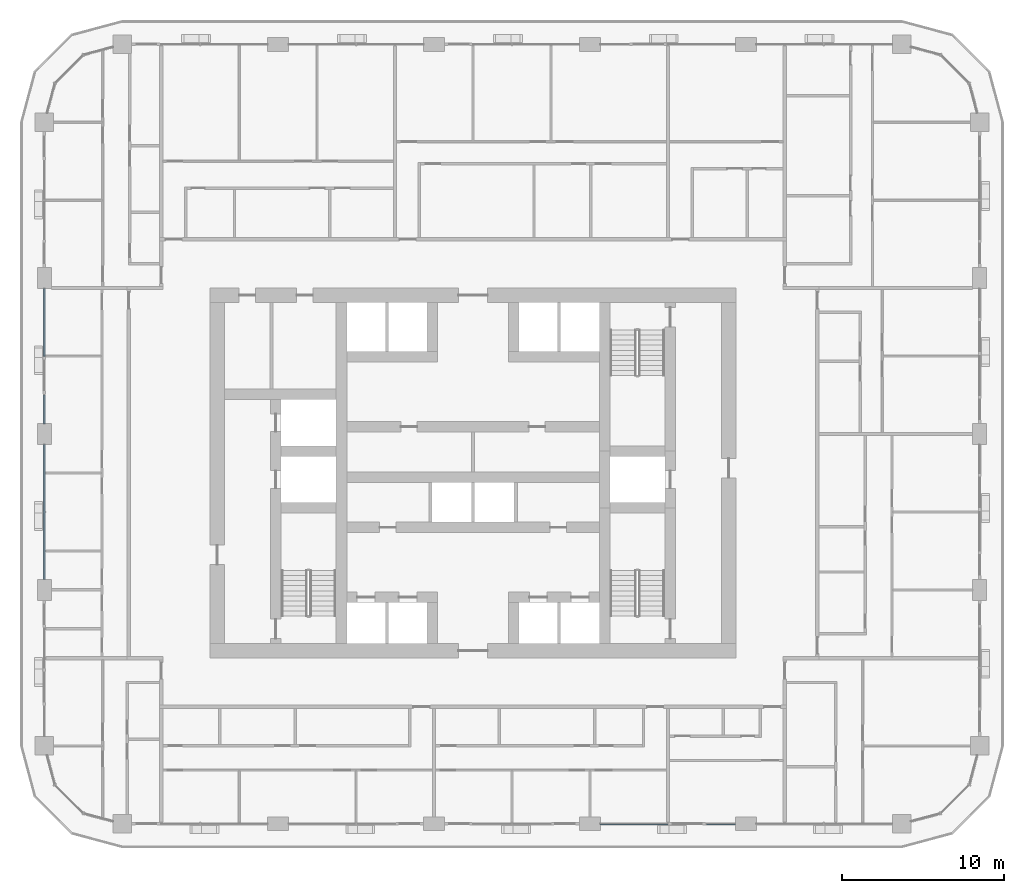
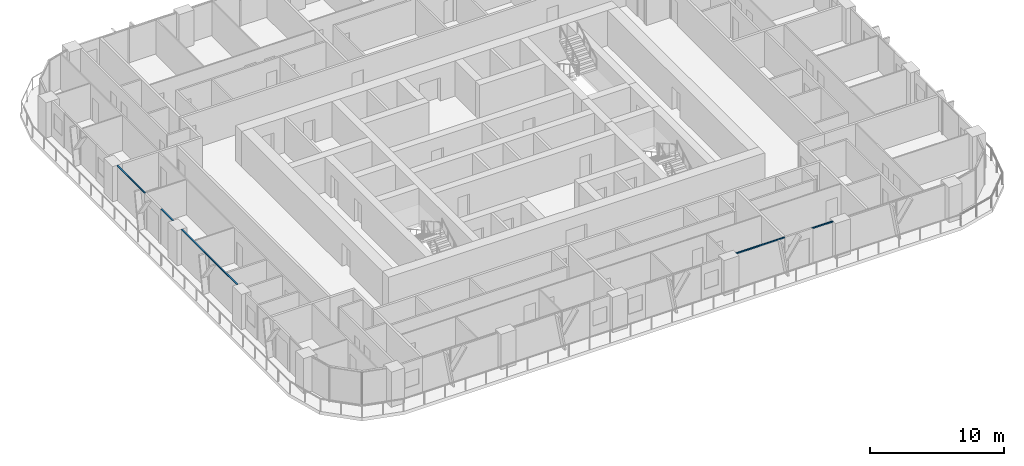
# One storey, part 3 of 21: 5 members, 3 elements without a shape of their own.
"""IFC4 building model written with IfcOpenShell, lengths in metres."""

from ifc_helpers import new_model, si_unit, direction, frame, origin, origin_2d, place, context, subcontext, project, spatial, rectangle, extrude, material, layer, layer_set, material_profile, profile_set, type_object, element, aggregate, save


model = new_model("IFC4")

# Units and contexts
model_context = context("Model", 3, precision=1e-05, world=origin(), true_north=direction((0.0, 1.0)))
body_context = subcontext(model_context, "Body", "Model", "MODEL_VIEW")
ifc_project = project(units=[si_unit("LENGTHUNIT", "METRE"), si_unit("AREAUNIT", "SQUARE_METRE"), si_unit("VOLUMEUNIT", "CUBIC_METRE"), si_unit("PLANEANGLEUNIT", "RADIAN"), si_unit("MASSUNIT", "GRAM", prefix="KILO")], contexts=[model_context])

# Site, building, storey
site_placement = place(None, origin())
site = spatial("IfcSite", under=ifc_project, at=site_placement, CompositionType="ELEMENT")
building_placement = place(site_placement, origin())
building = spatial("IfcBuilding", under=site, at=building_placement, Name="Madar Terraces", CompositionType="ELEMENT")
storey_placement = place(building_placement, frame((0.0, 0.0, 96.199951171875)))
storey = spatial("IfcBuildingStorey", under=building, at=storey_placement, Name="L24", CompositionType="ELEMENT", Elevation=96.199951171875)

# Curtain wall, members
ifc_material_1 = material(Name="Glass, ceramic frit dark grey, with black aluminium frame", Category="aluminium")
ifc_layer = layer(ifc_material_1, 0.199951171875)
ifc_layer_set = layer_set([ifc_layer], Name="Facade curtain wall, fritted glass")
curtain_wall_type = type_object("IfcCurtainWallType", Name="Facade curtain wall, fritted glass", PredefinedType="NOTDEFINED", material=ifc_layer_set)
curtain_wall_1_placement = place(storey_placement, origin())
curtain_wall_1 = element("IfcCurtainWall", 1, at=curtain_wall_1_placement, inside=storey, type_object=curtain_wall_type, Name="Outer skin curtain wall south bay 4", PredefinedType="NOTDEFINED")
ifc_material_2 = material(Name="Aluminium, black anodised", Category="aluminium")
ifc_material_profile = material_profile(ifc_material_2, rectangle(XDim=0.1201171875, YDim=0.06005859375, at=origin_2d()), Name="Facade transom 60x120")
ifc_profile_set = profile_set([ifc_material_profile], Name="Aluminium, black anodised")
member_type = type_object("IfcMemberType", Name="Facade transom 60x120", PredefinedType="USERDEFINED", material=ifc_profile_set)
member_1_placement = place(storey_placement, frame((39.050048828125, 4.800048828125, 3.170166015625), z_axis=(1.0, 0.0, 0.0), x_axis=(0.0, 1.0, 0.0)))
member_1 = element("IfcMember", 2, at=member_1_placement, type_object=member_type, Name="Transom 1", ObjectType="TRANSOM", PredefinedType="USERDEFINED", context=body_context, shape_type="SweptSolid", body=[
    extrude(rectangle(XDim=0.1201171875, YDim=0.06005859375, at=origin_2d()), origin(), (0.0, 0.0, 1.0), 4.14990234375),
])
member_2_placement = place(storey_placement, frame((45.60009765625, 4.800048828125, 3.170166015625), z_axis=(1.0, 0.0, 0.0), x_axis=(0.0, 1.0, 0.0)))
member_2 = element("IfcMember", 3, at=member_2_placement, type_object=member_type, Name="Transom 2", ObjectType="TRANSOM", PredefinedType="USERDEFINED", context=body_context, shape_type="SweptSolid", body=[
    extrude(rectangle(XDim=0.1201171875, YDim=0.06005859375, at=origin_2d()), origin(), (0.0, 0.0, 1.0), 1.75),
])
aggregate(curtain_wall_1, [member_1, member_2])

curtain_wall_2_placement = place(storey_placement, origin())
curtain_wall_2 = element("IfcCurtainWall", 4, at=curtain_wall_2_placement, inside=storey, type_object=curtain_wall_type, Name="Outer skin curtain wall west bay 2", PredefinedType="NOTDEFINED")
member_3_placement = place(storey_placement, frame((4.800048828125, 37.75, 3.170166015625), z_axis=(0.0, -1.0, 0.0), x_axis=(1.0, 0.0, 0.0)))
member_3 = element("IfcMember", 5, at=member_3_placement, type_object=member_type, Name="Transom 1", ObjectType="TRANSOM", PredefinedType="USERDEFINED", context=body_context, shape_type="SweptSolid", body=[
    extrude(rectangle(XDim=0.1201171875, YDim=0.06005859375, at=origin_2d()), origin(), (0.0, 0.0, 1.0), 4.14990234375),
])
member_4_placement = place(storey_placement, frame((4.800048828125, 31.199951171875, 3.170166015625), z_axis=(0.0, -1.0, 0.0), x_axis=(1.0, 0.0, 0.0)))
member_4 = element("IfcMember", 6, at=member_4_placement, type_object=member_type, Name="Transom 2", ObjectType="TRANSOM", PredefinedType="USERDEFINED", context=body_context, shape_type="SweptSolid", body=[
    extrude(rectangle(XDim=0.1201171875, YDim=0.06005859375, at=origin_2d()), origin(), (0.0, 0.0, 1.0), 1.75),
])
aggregate(curtain_wall_2, [member_3, member_4])

# Curtain wall, member
curtain_wall_3_placement = place(storey_placement, origin())
curtain_wall_3 = element("IfcCurtainWall", 7, at=curtain_wall_3_placement, inside=storey, type_object=curtain_wall_type, Name="Outer skin curtain wall west bay 3", PredefinedType="NOTDEFINED")
member_5_placement = place(storey_placement, frame((4.800048828125, 28.14990234375, 3.170166015625), z_axis=(0.0, -1.0, 0.0), x_axis=(1.0, 0.0, 0.0)))
member_5 = element("IfcMember", 8, at=member_5_placement, type_object=member_type, Name="Transom 1", ObjectType="TRANSOM", PredefinedType="USERDEFINED", context=body_context, shape_type="SweptSolid", body=[
    extrude(rectangle(XDim=0.1201171875, YDim=0.06005859375, at=origin_2d()), origin(), (0.0, 0.0, 1.0), 8.2998046875),
])
aggregate(curtain_wall_3, [member_5])

save(model, "model.ifc")
